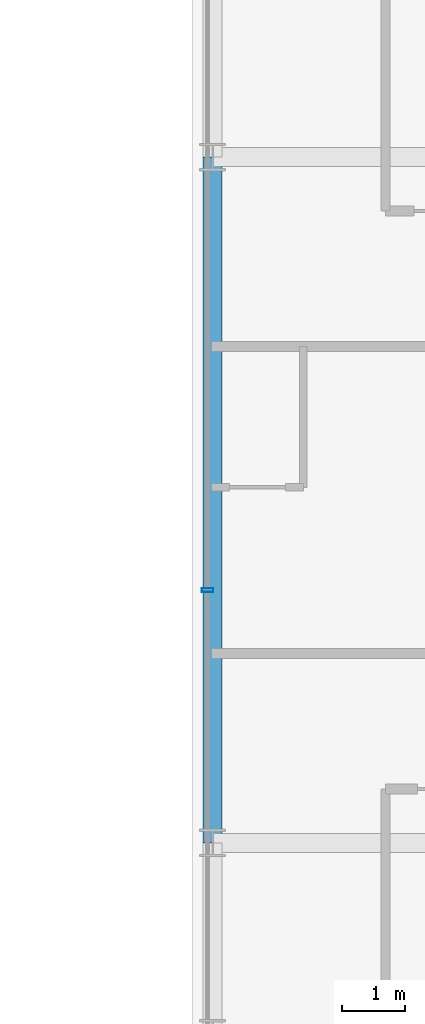
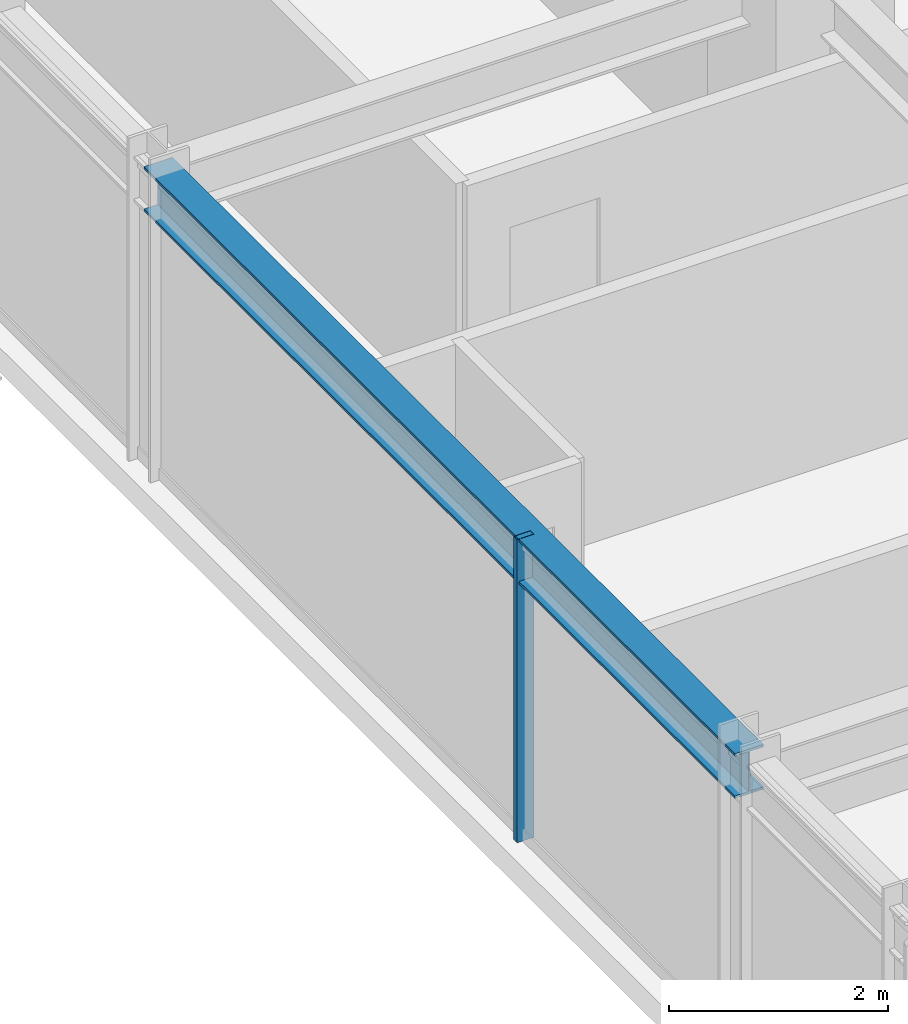
# One storey, part 8 of 35: 1 beam, 1 member, 1 element without a shape of its own.
"""IFC4 building model written with IfcOpenShell, lengths in metres."""

from ifc_helpers import new_model, si_unit, direction, frame, origin, origin_2d, place, context, subcontext, project, spatial, hollow_rectangle, i_section, extrude, source, transform, mapped, material, material_profile, profile_set, type_object, element, aggregate, save


model = new_model("IFC4")

# Units and contexts
model_context = context("Model", 3, precision=1e-05, world=origin(), true_north=direction((0.0, 1.0)))
body_context = subcontext(model_context, "Body", "Model", "MODEL_VIEW")
ifc_project = project(units=[si_unit("LENGTHUNIT", "METRE"), si_unit("AREAUNIT", "SQUARE_METRE"), si_unit("VOLUMEUNIT", "CUBIC_METRE"), si_unit("PLANEANGLEUNIT", "RADIAN"), si_unit("MASSUNIT", "GRAM", prefix="KILO")], contexts=[model_context])

# Site, building, storey
site_placement = place(None, origin())
site = spatial("IfcSite", under=ifc_project, at=site_placement, CompositionType="ELEMENT")
building_placement = place(site_placement, origin())
building = spatial("IfcBuilding", under=site, at=building_placement, Name="Nahalor Promenade Grand Hotel", CompositionType="ELEMENT")
storey_placement = place(building_placement, frame((0.0, 0.0, 121.14990234375)))
storey = spatial("IfcBuildingStorey", under=building, at=storey_placement, Name="L30", CompositionType="ELEMENT", Elevation=121.14990234375)

# Beam
ifc_material_1 = material(Name="Steel S355JR", Category="steel")
ifc_material_profile_1 = material_profile(ifc_material_1, i_section(OverallWidth=0.3, OverallDepth=0.5, WebThickness=0.0145, FlangeThickness=0.028, at=origin_2d()), Name="HEB 500")
ifc_profile_set_1 = profile_set([ifc_material_profile_1], Name="Steel S355JR")
beam_type = type_object("IfcBeamType", Name="Beam-Spandrel-HEB500", PredefinedType="SPANDREL", material=ifc_profile_set_1)
shared_shape_1 = source(origin(), body_context, "Body", "SweptSolid", [
    extrude(i_section(OverallWidth=0.3, OverallDepth=0.5, WebThickness=0.0145, FlangeThickness=0.028, at=origin_2d()), origin(), (0.0, 0.0, 1.0), 10.7998046875),
])
beam_placement = place(storey_placement, frame((-23.780029296875, -5.39990234375, 3.130126953125), z_axis=(0.0, 1.0, 0.0), x_axis=(-1.0, 0.0, 0.0)))
element("IfcBeam", 1, at=beam_placement, inside=storey, type_object=beam_type, Name="BM-L30-SP-W-2", PredefinedType="SPANDREL", context=body_context, shape_type="MappedRepresentation", body=[
    mapped(shared_shape_1, transform((0.0, 0.0, 0.0), scale=1.0)),
])

# Curtain wall, member
ifc_material_2 = material(Name="Anodised Bronze Aluminium EN AW-6063 T6", Category="aluminium")
curtain_wall_type = type_object("IfcCurtainWallType", Name="CW2 Typical Hotel Flush Bronze Unitised Curtain Wall", PredefinedType="USERDEFINED", material=ifc_material_2)
curtain_wall_placement = place(storey_placement, origin())
curtain_wall = element("IfcCurtainWall", 2, at=curtain_wall_placement, inside=storey, type_object=curtain_wall_type, Name="L30 Curtain Wall CW-L30-W-1", ObjectType="UNITISED_CURTAIN_WALL", PredefinedType="USERDEFINED")
ifc_material_profile_2 = material_profile(ifc_material_2, hollow_rectangle(XDim=0.065, YDim=0.18, WallThickness=0.004, at=origin_2d()), Name="CWM 65x180x4")
ifc_profile_set_2 = profile_set([ifc_material_profile_2], Name="Anodised Bronze Aluminium EN AW-6063 T6")
member_type = type_object("IfcMemberType", Name="CWM2 Typical Bronze Mullion 65x180", PredefinedType="MULLION", material=ifc_profile_set_2)
shared_shape_2 = source(origin(), body_context, "Body", "SweptSolid", [
    extrude(hollow_rectangle(XDim=0.065, YDim=0.18, WallThickness=0.004, at=origin_2d()), origin(), (0.0, 0.0, 1.0), 3.380126953125),
])
member_placement = place(storey_placement, frame((-23.860107421875, -1.419921875, 0.0), z_axis=(0.0, 0.0, 1.0), x_axis=(0.0, 1.0, 0.0)))
member = element("IfcMember", 3, at=member_placement, type_object=member_type, Name="CW-L30-W-1 Mullion 2", PredefinedType="MULLION", context=body_context, shape_type="MappedRepresentation", body=[
    mapped(shared_shape_2, transform((0.0, 0.0, 0.0), scale=1.0)),
])
aggregate(curtain_wall, [member])

save(model, "model.ifc")
